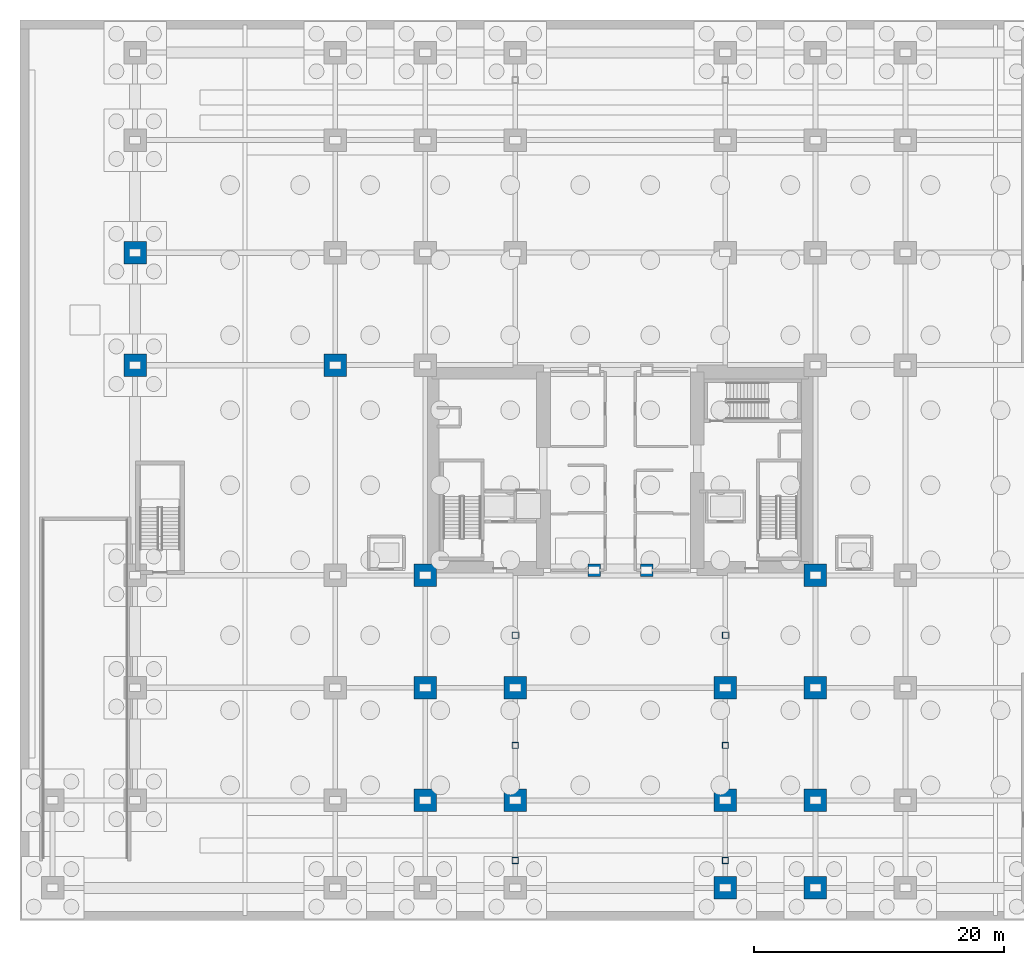
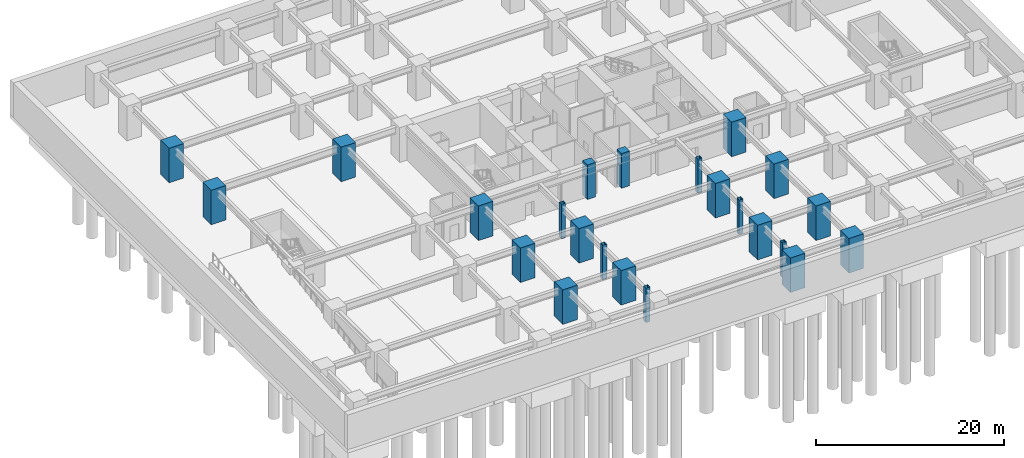
# One storey, part 3 of 23: 23 columns.
"""IFC4 building model written with IfcOpenShell, lengths in metres."""

from ifc_helpers import new_model, si_unit, direction, frame, origin, origin_2d, place, context, subcontext, project, spatial, rectangle, hollow_rectangle, extrude, material, material_profile, profile_set, type_object, element, save


model = new_model("IFC4")

# Units and contexts
model_context = context("Model", 3, precision=1e-05, world=origin(), true_north=direction((0.0, 1.0)))
body_context = subcontext(model_context, "Body", "Model", "MODEL_VIEW")
ifc_project = project(units=[si_unit("LENGTHUNIT", "METRE"), si_unit("AREAUNIT", "SQUARE_METRE"), si_unit("VOLUMEUNIT", "CUBIC_METRE"), si_unit("PLANEANGLEUNIT", "RADIAN"), si_unit("MASSUNIT", "GRAM", prefix="KILO")], contexts=[model_context])

# Site, building, storey
site_placement = place(None, origin())
site = spatial("IfcSite", under=ifc_project, at=site_placement, CompositionType="ELEMENT")
building_placement = place(site_placement, origin())
building = spatial("IfcBuilding", under=site, at=building_placement, Name="Kiyonajd Concourse Tower", CompositionType="ELEMENT")
storey_placement = place(building_placement, frame((0.0, 0.0, -9.0)))
storey = spatial("IfcBuildingStorey", under=building, at=storey_placement, Name="B2", CompositionType="ELEMENT", Elevation=-9.0)

# Columns
ifc_material_1 = material(Name="Concrete C80/95", Category="concrete")
ifc_material_profile_1 = material_profile(ifc_material_1, rectangle(XDim=1.800048828125, YDim=1.800048828125, at=origin_2d()), Name="RC-1800x1800")
ifc_profile_set_1 = profile_set([ifc_material_profile_1], Name="Concrete C80/95")
column_type_1 = type_object("IfcColumnType", Name="CL-MEGA-1800", PredefinedType="COLUMN", material=ifc_profile_set_1)
for number, where, z_axis, x_axis, name in (
    (1, (9.199951171875, 44.39990234375, 0.0), (0.0, 0.0, 1.0), (1.0, 0.0, 0.0), "B2 Podium Mega Column"),
    (2, (9.199951171875, 53.39990234375, 0.0), (0.0, 0.0, 1.0), (1.0, 0.0, 0.0), "B2 Podium Mega Column"),
    (3, (25.199951171875, 44.39990234375, 0.0), (0.0, 0.0, 1.0), (1.0, 0.0, 0.0), "B2 Podium Mega Column"),
    (4, (32.39990234375, 9.60009765625, 0.0), (0.0, 0.0, 1.0), (1.0, 0.0, 0.0), "B2 Podium Mega Column"),
    (5, (32.39990234375, 18.60009765625, 0.0), (0.0, 0.0, 1.0), (1.0, 0.0, 0.0), "B2 Podium Mega Column"),
    (6, (32.39990234375, 27.60009765625, 0.0), (0.0, 0.0, 1.0), (1.0, 0.0, 0.0), "B2 Podium Mega Column"),
    (7, (39.60009765625, 9.60009765625, 0.0), (0.0, 0.0, 1.0), (1.0, 0.0, 0.0), "B2 Podium Mega Column"),
    (8, (39.60009765625, 18.60009765625, 0.0), (0.0, 0.0, 1.0), (1.0, 0.0, 0.0), "B2 Podium Mega Column"),
    (9, (56.39990234375, 2.60009765625, 0.0), (0.0, 0.0, 1.0), (1.0, 0.0, 0.0), "B2 Podium Mega Column"),
    (10, (56.39990234375, 9.60009765625, 0.0), (0.0, 0.0, 1.0), (1.0, 0.0, 0.0), "B2 Podium Mega Column"),
    (11, (56.39990234375, 18.60009765625, 0.0), (0.0, 0.0, 1.0), (1.0, 0.0, 0.0), "B2 Podium Mega Column"),
    (12, (63.60009765625, 2.60009765625, 0.0), (0.0, 0.0, 1.0), (1.0, 0.0, 0.0), "B2 Podium Mega Column"),
    (13, (63.60009765625, 9.60009765625, 0.0), (0.0, 0.0, 1.0), (1.0, 0.0, 0.0), "B2 Podium Mega Column"),
    (14, (63.60009765625, 18.60009765625, 0.0), (0.0, 0.0, 1.0), (1.0, 0.0, 0.0), "B2 Podium Mega Column"),
    (15, (63.60009765625, 27.60009765625, 0.0), (0.0, 0.0, 1.0), (1.0, 0.0, 0.0), "B2 Podium Mega Column"),
):
    element("IfcColumn", number, at=place(storey_placement, frame(where, z_axis=z_axis, x_axis=x_axis)), inside=storey, type_object=column_type_1, Name=name, PredefinedType="COLUMN", context=body_context, shape_type="SweptSolid", body=[
        extrude(rectangle(XDim=1.800048828125, YDim=1.800048828125, at=origin_2d()), origin(), (0.0, 0.0, 1.0), 4.5),
    ])
ifc_material_2 = material(Name="Steel ASTM A572 Grade 50", Category="steel")
ifc_material_profile_2 = material_profile(ifc_material_2, hollow_rectangle(XDim=0.5, YDim=0.5, WallThickness=0.02490234375, at=origin_2d()), Name="HSS-500x500x25")
ifc_profile_set_2 = profile_set([ifc_material_profile_2], Name="Steel ASTM A572 Grade 50")
column_type_2 = type_object("IfcColumnType", Name="CL-PIL-600", PredefinedType="PILASTER", material=ifc_profile_set_2)
for number, where, z_axis, x_axis, name in (
    (16, (39.60009765625, 4.800048828125, 0.0), (0.0, 0.0, 1.0), (1.0, 0.0, 0.0), "B2 Concourse Facade Pilaster Column"),
    (17, (39.60009765625, 14.0, 0.0), (0.0, 0.0, 1.0), (1.0, 0.0, 0.0), "B2 Concourse Facade Pilaster Column"),
    (18, (39.60009765625, 22.800048828125, 0.0), (0.0, 0.0, 1.0), (1.0, 0.0, 0.0), "B2 Concourse Facade Pilaster Column"),
    (19, (56.39990234375, 4.800048828125, 0.0), (0.0, 0.0, 1.0), (1.0, 0.0, 0.0), "B2 Concourse Facade Pilaster Column"),
    (20, (56.39990234375, 14.0, 0.0), (0.0, 0.0, 1.0), (1.0, 0.0, 0.0), "B2 Concourse Facade Pilaster Column"),
    (21, (56.39990234375, 22.800048828125, 0.0), (0.0, 0.0, 1.0), (1.0, 0.0, 0.0), "B2 Concourse Facade Pilaster Column"),
):
    element("IfcColumn", number, at=place(storey_placement, frame(where, z_axis=z_axis, x_axis=x_axis)), inside=storey, type_object=column_type_2, Name=name, PredefinedType="PILASTER", context=body_context, shape_type="SweptSolid", body=[
        extrude(hollow_rectangle(XDim=0.5, YDim=0.5, WallThickness=0.02490234375, at=origin_2d()), origin(), (0.0, 0.0, 1.0), 4.5),
    ])
ifc_material_3 = material(Name="Concrete C60/75", Category="concrete")
ifc_material_profile_3 = material_profile(ifc_material_3, rectangle(XDim=1.0, YDim=1.0, at=origin_2d()), Name="RC-1000x1000")
ifc_profile_set_3 = profile_set([ifc_material_profile_3], Name="Concrete C60/75")
column_type_3 = type_object("IfcColumnType", Name="CL-TUBE-1000", PredefinedType="COLUMN", material=ifc_profile_set_3)
for number, where, z_axis, x_axis, name in (
    (22, (45.89990234375, 28.0, 0.0), (0.0, 0.0, 1.0), (1.0, 0.0, 0.0), "B2 Core Tie Column South West"),
    (23, (50.10009765625, 28.0, 0.0), (0.0, 0.0, 1.0), (1.0, 0.0, 0.0), "B2 Core Tie Column South East"),
):
    element("IfcColumn", number, at=place(storey_placement, frame(where, z_axis=z_axis, x_axis=x_axis)), inside=storey, type_object=column_type_3, Name=name, PredefinedType="COLUMN", context=body_context, shape_type="SweptSolid", body=[
        extrude(rectangle(XDim=1.0, YDim=1.0, at=origin_2d()), origin(), (0.0, 0.0, 1.0), 4.5),
    ])

save(model, "model.ifc")
